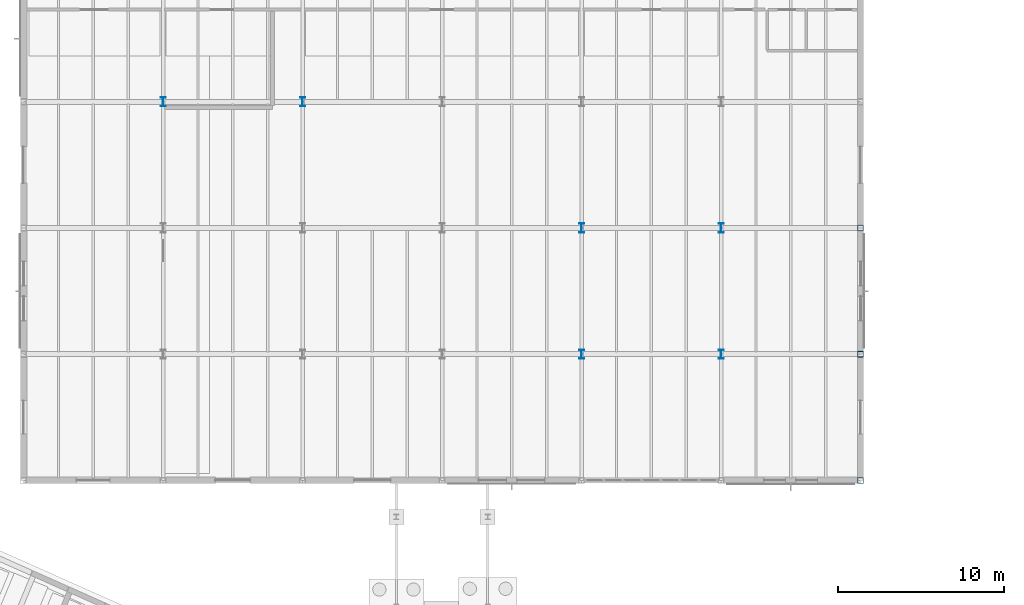
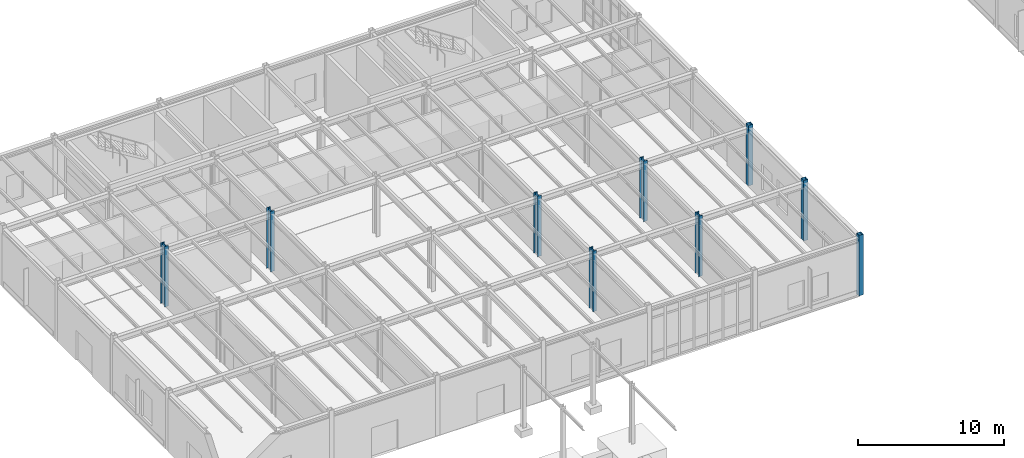
# One storey, part 18 of 109: 9 columns.
"""IFC4 building model written with IfcOpenShell, lengths in metres."""

from ifc_helpers import new_model, si_unit, direction, frame, origin, origin_2d, place, context, subcontext, project, spatial, hollow_rectangle, i_section, extrude, material, material_profile, profile_set, type_object, element, save


model = new_model("IFC4")

# Units and contexts
model_context = context("Model", 3, precision=1e-05, world=origin(), true_north=direction((0.0, 1.0)))
body_context = subcontext(model_context, "Body", "Model", "MODEL_VIEW")
ifc_project = project(units=[si_unit("LENGTHUNIT", "METRE"), si_unit("AREAUNIT", "SQUARE_METRE"), si_unit("VOLUMEUNIT", "CUBIC_METRE"), si_unit("PLANEANGLEUNIT", "RADIAN"), si_unit("MASSUNIT", "GRAM", prefix="KILO")], contexts=[model_context])

# Site, building, storey
site_placement = place(None, origin())
site = spatial("IfcSite", under=ifc_project, at=site_placement, CompositionType="ELEMENT")
building_placement = place(site_placement, origin())
building = spatial("IfcBuilding", under=site, at=building_placement, Name="Montecoro Central Library", CompositionType="ELEMENT")
storey_placement = place(building_placement, origin())
storey = spatial("IfcBuildingStorey", under=building, at=storey_placement, Name="L00", CompositionType="ELEMENT", Elevation=0.0)

# Columns
ifc_material = material(Name="Steel S355J2", Category="steel")
ifc_material_profile_1 = material_profile(ifc_material, i_section(OverallWidth=0.300048828125, OverallDepth=0.550048828125, WebThickness=0.014892578125, FlangeThickness=0.029052734375, at=origin_2d()), Name="HEB 550")
ifc_profile_set_1 = profile_set([ifc_material_profile_1], Name="Steel S355J2")
column_type_1 = type_object("IfcColumnType", Name="COL-HEB550", PredefinedType="COLUMN", material=ifc_profile_set_1)
for number, where, z_axis, x_axis, name in (
    (1, (74.800048828125, 103.800048828125, 0.0), (0.0, 0.0, 1.0), (1.0, 0.0, 0.0), "V2-L00-COL-10-P"),
    (2, (83.199951171875, 103.800048828125, 0.0), (0.0, 0.0, 1.0), (1.0, 0.0, 0.0), "V2-L00-COL-11-P"),
    (3, (100.0, 88.60009765625, 0.0), (0.0, 0.0, 1.0), (1.0, 0.0, 0.0), "V2-L00-COL-13-M"),
    (4, (100.0, 96.199951171875, 0.0), (0.0, 0.0, 1.0), (1.0, 0.0, 0.0), "V2-L00-COL-13-N"),
    (5, (108.39990234375, 88.60009765625, 0.0), (0.0, 0.0, 1.0), (1.0, 0.0, 0.0), "V2-L00-COL-14-M"),
    (6, (108.39990234375, 96.199951171875, 0.0), (0.0, 0.0, 1.0), (1.0, 0.0, 0.0), "V2-L00-COL-14-N"),
):
    element("IfcColumn", number, at=place(storey_placement, frame(where, z_axis=z_axis, x_axis=x_axis)), inside=storey, type_object=column_type_1, Name=name, PredefinedType="COLUMN", context=body_context, shape_type="SweptSolid", body=[
        extrude(i_section(OverallWidth=0.300048828125, OverallDepth=0.550048828125, WebThickness=0.014892578125, FlangeThickness=0.029052734375, at=origin_2d()), origin(), (0.0, 0.0, 1.0), 5.074951171875),
    ])
ifc_material_profile_2 = material_profile(ifc_material, hollow_rectangle(XDim=0.35009765625, YDim=0.35009765625, WallThickness=0.01416015625, at=origin_2d()), Name="SHS 350x350x14.2")
ifc_profile_set_2 = profile_set([ifc_material_profile_2], Name="Steel S355J2")
column_type_2 = type_object("IfcColumnType", Name="COL-SHS350", PredefinedType="COLUMN", material=ifc_profile_set_2)
for number, where, z_axis, x_axis, name in (
    (7, (116.800048828125, 81.0, 0.0), (0.0, 0.0, 1.0), (1.0, 0.0, 0.0), "V2-L00-COL-15-L"),
    (8, (116.800048828125, 88.60009765625, 0.0), (0.0, 0.0, 1.0), (1.0, 0.0, 0.0), "V2-L00-COL-15-M"),
    (9, (116.800048828125, 96.199951171875, 0.0), (0.0, 0.0, 1.0), (1.0, 0.0, 0.0), "V2-L00-COL-15-N"),
):
    element("IfcColumn", number, at=place(storey_placement, frame(where, z_axis=z_axis, x_axis=x_axis)), inside=storey, type_object=column_type_2, Name=name, PredefinedType="COLUMN", context=body_context, shape_type="SweptSolid", body=[
        extrude(hollow_rectangle(XDim=0.35009765625, YDim=0.35009765625, WallThickness=0.01416015625, at=origin_2d()), origin(), (0.0, 0.0, 1.0), 5.074951171875),
    ])

save(model, "model.ifc")
